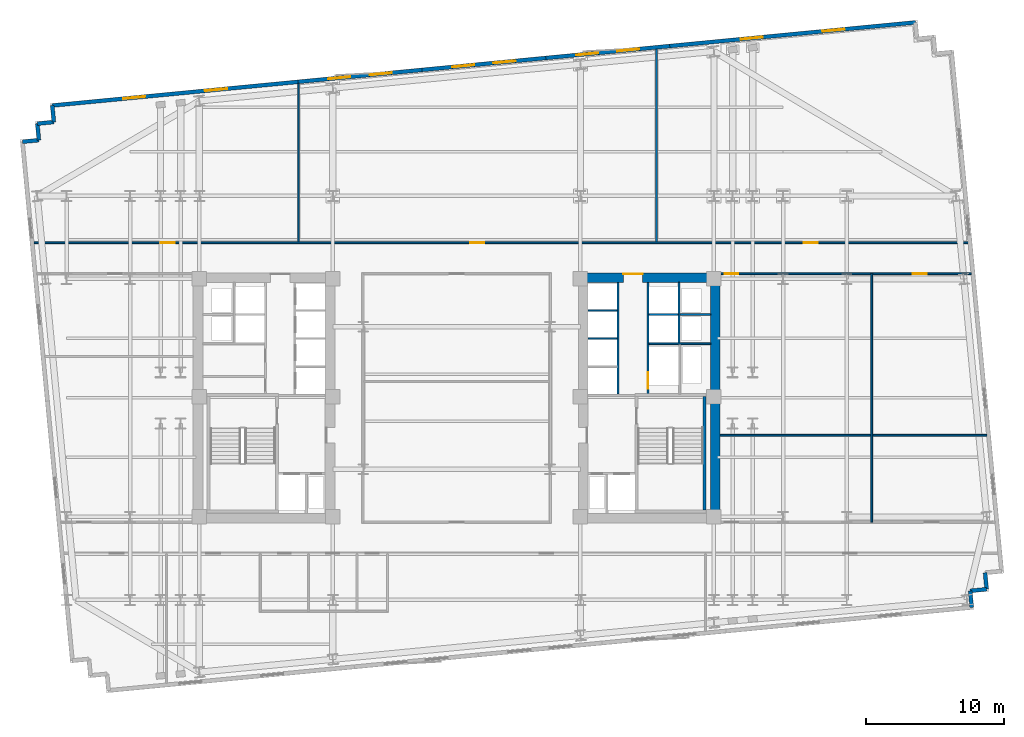
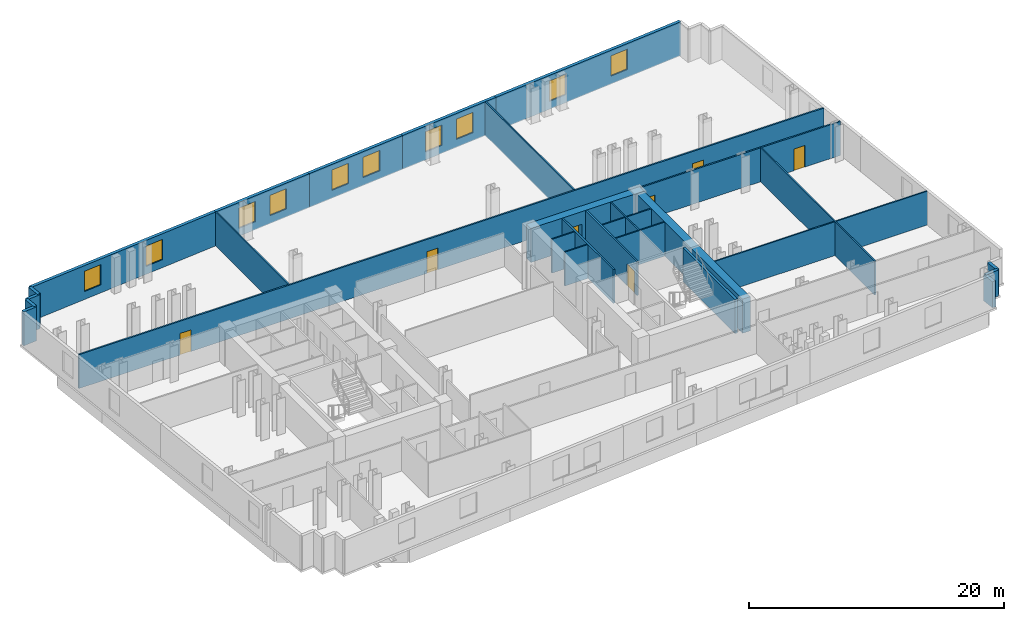
# One storey, part 7 of 10: 29 walls, 10 windows, 7 doors, 17 openings.
"""IFC4 building model written with IfcOpenShell, lengths in metres."""

from ifc_helpers import new_model, si_unit, direction, frame, frame_2d, origin, place, context, subcontext, project, spatial, rectangle, extrude, material, layer, layer_set, type_object, element, fill, save


model = new_model("IFC4")

# Units and contexts
model_context = context("Model", 3, precision=1e-05, world=origin(), true_north=direction((0.0, 1.0)))
body_context = subcontext(model_context, "Body", "Model", "MODEL_VIEW")
ifc_project = project(units=[si_unit("LENGTHUNIT", "METRE"), si_unit("AREAUNIT", "SQUARE_METRE"), si_unit("VOLUMEUNIT", "CUBIC_METRE"), si_unit("PLANEANGLEUNIT", "RADIAN"), si_unit("MASSUNIT", "GRAM", prefix="KILO")], contexts=[model_context])

# Site, building, storey
site_placement = place(None, origin())
site = spatial("IfcSite", under=ifc_project, at=site_placement, CompositionType="ELEMENT")
building_placement = place(site_placement, origin())
building = spatial("IfcBuilding", under=site, at=building_placement, Name="Velakula Bourse", CompositionType="ELEMENT")
storey_placement = place(building_placement, frame((0.0, 0.0, 74.199951171875)))
storey = spatial("IfcBuildingStorey", under=building, at=storey_placement, Name="L19", CompositionType="ELEMENT", Elevation=74.199951171875)

# Wall
ifc_material_1 = material(Name="Concrete M50 (fck 50 MPa)", Category="concrete")
ifc_layer_1 = layer(ifc_material_1, 0.2099609375, Name="Concrete M50 (fck 50 MPa)", Category="concrete")
ifc_layer_set_1 = layer_set([ifc_layer_1], Name="Concrete M50 (fck 50 MPa)")
wall_type_1 = type_object("IfcWallType", Name="WL-CORE-210", PredefinedType="SHEAR", material=ifc_layer_set_1)
wall_1_placement = place(storey_placement, frame((17.925048828125, -8.10009765625, 0.0), z_axis=(0.0, 0.0, 1.0), x_axis=(0.0, 1.0, 0.0)))
element("IfcWall", 1, at=wall_1_placement, inside=storey, type_object=wall_type_1, Name="L19 Core E Stairwell Shear Wall OUT", PredefinedType="SHEAR", context=body_context, shape_type="SweptSolid", body=[
    extrude(rectangle(XDim=8.2001953125, YDim=0.2099609375, at=frame_2d((4.10009765625, 0.0))), origin(), (0.0, 0.0, 1.0), 3.27001953125),
])

# Wall, opening, door
ifc_material_2 = material(Name="Concrete M70 (fck 70 MPa)", Category="concrete")
ifc_layer_2 = layer(ifc_material_2, 0.699951171875, Name="Concrete M70 (fck 70 MPa)", Category="concrete")
ifc_layer_set_2 = layer_set([ifc_layer_2], Name="Concrete M70 (fck 70 MPa)")
wall_type_2 = type_object("IfcWallType", Name="WL-CORE-700", PredefinedType="SHEAR", material=ifc_layer_set_2)
wall_2_placement = place(storey_placement, frame((8.800048828125, 8.699951171875, 0.0), z_axis=(0.0, 0.0, 1.0), x_axis=(1.0, 0.0, 0.0)))
wall_2 = element("IfcWall", 2, at=wall_2_placement, inside=storey, type_object=wall_type_2, Name="L19 Core E Shear Wall N", PredefinedType="SHEAR", context=body_context, shape_type="SweptSolid", body=[
    extrude(rectangle(XDim=10.25, YDim=0.699951171875, at=frame_2d((5.125, 0.0))), origin(), (0.0, 0.0, 1.0), 3.27001953125),
])
opening_1_placement = place(wall_2_placement, frame((3.25, 0.0, 0.0)))
opening_1 = element("IfcOpeningElement", 3, at=opening_1_placement, cuts=wall_2, Name="Opening D-LLE", PredefinedType="OPENING", context=body_context, shape_type="SweptSolid", body=[
    extrude(rectangle(XDim=1.39990234375, YDim=2.050048828125, at=frame_2d((0.699951171875, 1.02490234375))), frame((0.0, 0.35986328125, 0.0), z_axis=(0.0, -1.0, 0.0), x_axis=(1.0, 0.0, 0.0)), (0.0, 0.0, 1.0), 0.719970703125),
])
ifc_material_3 = material(Name="Fire-rated hardwood flush architectural door", Category="wood")
door_type_1 = type_object("IfcDoorType", Name="DR-DBL-FD60-1400", OperationType="DOUBLE_DOOR_SINGLE_SWING", PredefinedType="DOOR", material=ifc_material_3)
door_1_placement = place(opening_1_placement, origin())
door_1 = element("IfcDoor", 4, at=door_1_placement, inside=storey, type_object=door_type_1, Name="L19 Core E Lift Lobby Corridor Double Door", OperationType="DOUBLE_DOOR_SINGLE_SWING", OverallHeight=2.050048828125, OverallWidth=1.39990234375, PredefinedType="DOOR", context=body_context, shape_type="SweptSolid", body=[
    extrude(rectangle(XDim=1.39990234375, YDim=2.050048828125, at=frame_2d((0.699951171875, 1.02490234375))), frame((0.0, 0.294921875, 0.0), z_axis=(0.0, -1.0, 0.0), x_axis=(1.0, 0.0, 0.0)), (0.0, 0.0, 1.0), 0.050048828125),
])
fill(opening_1, door_1)

# Wall
wall_3_placement = place(storey_placement, frame((18.699951171875, -8.35009765625, 0.0), z_axis=(0.0, 0.0, 1.0), x_axis=(0.0, 1.0, 0.0)))
element("IfcWall", 5, at=wall_3_placement, inside=storey, type_object=wall_type_2, Name="L19 Core E Shear Wall E", PredefinedType="SHEAR", context=body_context, shape_type="SweptSolid", body=[
    extrude(rectangle(XDim=16.7001953125, YDim=0.699951171875, at=frame_2d((8.35009765625, 0.0))), origin(), (0.0, 0.0, 1.0), 3.27001953125),
])

# Wall, openings, windows
ifc_material_4 = material(Name="Red kilned clay facing brick masonry", Category="masonry")
ifc_layer_3 = layer(ifc_material_4, 0.280029296875, Name="Red kilned clay facing brick masonry", Category="masonry")
ifc_layer_set_3 = layer_set([ifc_layer_3], Name="Red kilned clay facing brick masonry")
wall_type_3 = type_object("IfcWallType", Name="WL-EXT-BRK-280", PredefinedType="STANDARD", material=ifc_layer_set_3)
wall_4_placement = place(storey_placement, frame((-29.2314453125, 21.138427734375, 0.0), z_axis=(0.0, 0.0, 1.0), x_axis=(0.995395780835, 0.095850088663, 0.0)))
wall_4 = element("IfcWall", 6, at=wall_4_placement, inside=storey, type_object=wall_type_3, Name="L19 N Brick Spandrel Wall B1", PredefinedType="STANDARD", context=body_context, shape_type="SweptSolid", body=[
    extrude(rectangle(XDim=17.83984375, YDim=0.280029296875, at=frame_2d((8.919921875, 0.0))), origin(), (0.0, 0.0, 1.0), 3.25),
])
opening_2_placement = place(wall_4_placement, frame((5.146728515625, 0.0, 0.760009765625)))
opening_2 = element("IfcOpeningElement", 7, at=opening_2_placement, cuts=wall_4, Name="Opening W-02", PredefinedType="OPENING", context=body_context, shape_type="SweptSolid", body=[
    extrude(rectangle(XDim=1.60009765625, YDim=1.949951171875, at=frame_2d((0.800048828125, 0.97509765625))), frame((0.0, 0.14990234375, 0.0), z_axis=(0.0, -1.0, 0.0), x_axis=(1.0, 0.0, 0.0)), (0.0, 0.0, 1.0), 0.300048828125),
])
opening_3_placement = place(wall_4_placement, frame((11.09326171875, 0.0, 0.760009765625)))
opening_3 = element("IfcOpeningElement", 8, at=opening_3_placement, cuts=wall_4, Name="Opening W-02", PredefinedType="OPENING", context=body_context, shape_type="SweptSolid", body=[
    extrude(rectangle(XDim=1.60009765625, YDim=1.949951171875, at=frame_2d((0.800048828125, 0.97509765625))), frame((0.0, 0.14990234375, 0.0), z_axis=(0.0, -1.0, 0.0), x_axis=(1.0, 0.0, 0.0)), (0.0, 0.0, 1.0), 0.300048828125),
])
ifc_material_5 = material(Name="Double-glazed solar-control Low-E glass", Category="glass")
window_type = type_object("IfcWindowType", Name="WIN-TWR-1600x2100", PartitioningType="SINGLE_PANEL", PredefinedType="WINDOW", material=ifc_material_5)
window_1_placement = place(opening_2_placement, origin())
window_1 = element("IfcWindow", 9, at=window_1_placement, inside=storey, type_object=window_type, Name="L19 Deep-Set Recessed Window 1", OverallHeight=1.949951171875, OverallWidth=1.60009765625, PartitioningType="SINGLE_PANEL", PredefinedType="WINDOW", context=body_context, shape_type="SweptSolid", body=[
    extrude(rectangle(XDim=1.60009765625, YDim=1.949951171875, at=frame_2d((0.800048828125, 0.97509765625))), frame((0.0, 0.030029296875, 0.0), z_axis=(0.0, -1.0, 0.0), x_axis=(1.0, 0.0, 0.0)), (0.0, 0.0, 1.0), 0.06005859375),
])
fill(opening_2, window_1)
window_2_placement = place(opening_3_placement, origin())
window_2 = element("IfcWindow", 10, at=window_2_placement, inside=storey, type_object=window_type, Name="L19 Deep-Set Recessed Window 2", OverallHeight=1.949951171875, OverallWidth=1.60009765625, PartitioningType="SINGLE_PANEL", PredefinedType="WINDOW", context=body_context, shape_type="SweptSolid", body=[
    extrude(rectangle(XDim=1.60009765625, YDim=1.949951171875, at=frame_2d((0.800048828125, 0.97509765625))), frame((0.0, 0.030029296875, 0.0), z_axis=(0.0, -1.0, 0.0), x_axis=(1.0, 0.0, 0.0)), (0.0, 0.0, 1.0), 0.06005859375),
])
fill(opening_3, window_2)

wall_5_placement = place(storey_placement, frame((-11.4736328125, 22.848388671875, 0.0), z_axis=(0.0, 0.0, 1.0), x_axis=(0.995396794462, 0.09583956164, 0.0)))
wall_5 = element("IfcWall", 11, at=wall_5_placement, inside=storey, type_object=wall_type_3, Name="L19 N Brick Spandrel Wall B2", PredefinedType="STANDARD", context=body_context, shape_type="SweptSolid", body=[
    extrude(rectangle(XDim=9.0, YDim=0.280029296875, at=frame_2d((4.5, 0.0))), origin(), (0.0, 0.0, 1.0), 3.25),
])
opening_4_placement = place(wall_5_placement, frame((2.199951171875, 0.0, 0.760009765625)))
opening_4 = element("IfcOpeningElement", 12, at=opening_4_placement, cuts=wall_5, Name="Opening W-02", PredefinedType="OPENING", context=body_context, shape_type="SweptSolid", body=[
    extrude(rectangle(XDim=1.60009765625, YDim=1.949951171875, at=frame_2d((0.800048828125, 0.97509765625))), frame((0.0, 0.14990234375, 0.0), z_axis=(0.0, -1.0, 0.0), x_axis=(1.0, 0.0, 0.0)), (0.0, 0.0, 1.0), 0.300048828125),
])
opening_5_placement = place(wall_5_placement, frame((5.199951171875, 0.0, 0.760009765625)))
opening_5 = element("IfcOpeningElement", 13, at=opening_5_placement, cuts=wall_5, Name="Opening W-02", PredefinedType="OPENING", context=body_context, shape_type="SweptSolid", body=[
    extrude(rectangle(XDim=1.60009765625, YDim=1.949951171875, at=frame_2d((0.800048828125, 0.97509765625))), frame((0.0, 0.14990234375, 0.0), z_axis=(0.0, -1.0, 0.0), x_axis=(1.0, 0.0, 0.0)), (0.0, 0.0, 1.0), 0.300048828125),
])
window_3_placement = place(opening_4_placement, origin())
window_3 = element("IfcWindow", 14, at=window_3_placement, inside=storey, type_object=window_type, Name="L19 Deep-Set Recessed Window 1", OverallHeight=1.949951171875, OverallWidth=1.60009765625, PartitioningType="SINGLE_PANEL", PredefinedType="WINDOW", context=body_context, shape_type="SweptSolid", body=[
    extrude(rectangle(XDim=1.60009765625, YDim=1.949951171875, at=frame_2d((0.800048828125, 0.97509765625))), frame((0.0, 0.030029296875, 0.0), z_axis=(0.0, -1.0, 0.0), x_axis=(1.0, 0.0, 0.0)), (0.0, 0.0, 1.0), 0.06005859375),
])
fill(opening_4, window_3)
window_4_placement = place(opening_5_placement, origin())
window_4 = element("IfcWindow", 15, at=window_4_placement, inside=storey, type_object=window_type, Name="L19 Deep-Set Recessed Window 2", OverallHeight=1.949951171875, OverallWidth=1.60009765625, PartitioningType="SINGLE_PANEL", PredefinedType="WINDOW", context=body_context, shape_type="SweptSolid", body=[
    extrude(rectangle(XDim=1.60009765625, YDim=1.949951171875, at=frame_2d((0.800048828125, 0.97509765625))), frame((0.0, 0.030029296875, 0.0), z_axis=(0.0, -1.0, 0.0), x_axis=(1.0, 0.0, 0.0)), (0.0, 0.0, 1.0), 0.06005859375),
])
fill(opening_5, window_4)

wall_6_placement = place(storey_placement, frame((-2.51513671875, 23.7109375, 0.0), z_axis=(0.0, 0.0, 1.0), x_axis=(0.995397043619, 0.095836973841, 0.0)))
wall_6 = element("IfcWall", 16, at=wall_6_placement, inside=storey, type_object=wall_type_3, Name="L19 N Brick Spandrel Wall B3", PredefinedType="STANDARD", context=body_context, shape_type="SweptSolid", body=[
    extrude(rectangle(XDim=9.000244140625, YDim=0.280029296875, at=frame_2d((4.5, 0.0))), origin(), (0.0, 0.0, 1.0), 3.25),
])
opening_6_placement = place(wall_6_placement, frame((2.199951171875, 0.0, 0.760009765625)))
opening_6 = element("IfcOpeningElement", 17, at=opening_6_placement, cuts=wall_6, Name="Opening W-02", PredefinedType="OPENING", context=body_context, shape_type="SweptSolid", body=[
    extrude(rectangle(XDim=1.60009765625, YDim=1.949951171875, at=frame_2d((0.800048828125, 0.97509765625))), frame((0.0, 0.14990234375, 0.0), z_axis=(0.0, -1.0, 0.0), x_axis=(1.0, 0.0, 0.0)), (0.0, 0.0, 1.0), 0.300048828125),
])
opening_7_placement = place(wall_6_placement, frame((5.199951171875, 0.0, 0.760009765625)))
opening_7 = element("IfcOpeningElement", 18, at=opening_7_placement, cuts=wall_6, Name="Opening W-02", PredefinedType="OPENING", context=body_context, shape_type="SweptSolid", body=[
    extrude(rectangle(XDim=1.60009765625, YDim=1.949951171875, at=frame_2d((0.800048828125, 0.97509765625))), frame((0.0, 0.14990234375, 0.0), z_axis=(0.0, -1.0, 0.0), x_axis=(1.0, 0.0, 0.0)), (0.0, 0.0, 1.0), 0.300048828125),
])
window_5_placement = place(opening_6_placement, origin())
window_5 = element("IfcWindow", 19, at=window_5_placement, inside=storey, type_object=window_type, Name="L19 Deep-Set Recessed Window 1", OverallHeight=1.949951171875, OverallWidth=1.60009765625, PartitioningType="SINGLE_PANEL", PredefinedType="WINDOW", context=body_context, shape_type="SweptSolid", body=[
    extrude(rectangle(XDim=1.60009765625, YDim=1.949951171875, at=frame_2d((0.800048828125, 0.97509765625))), frame((0.0, 0.030029296875, 0.0), z_axis=(0.0, -1.0, 0.0), x_axis=(1.0, 0.0, 0.0)), (0.0, 0.0, 1.0), 0.06005859375),
])
fill(opening_6, window_5)
window_6_placement = place(opening_7_placement, origin())
window_6 = element("IfcWindow", 20, at=window_6_placement, inside=storey, type_object=window_type, Name="L19 Deep-Set Recessed Window 2", OverallHeight=1.949951171875, OverallWidth=1.60009765625, PartitioningType="SINGLE_PANEL", PredefinedType="WINDOW", context=body_context, shape_type="SweptSolid", body=[
    extrude(rectangle(XDim=1.60009765625, YDim=1.949951171875, at=frame_2d((0.800048828125, 0.97509765625))), frame((0.0, 0.030029296875, 0.0), z_axis=(0.0, -1.0, 0.0), x_axis=(1.0, 0.0, 0.0)), (0.0, 0.0, 1.0), 0.06005859375),
])
fill(opening_7, window_6)

wall_7_placement = place(storey_placement, frame((6.443603515625, 24.573486328125, 0.0), z_axis=(0.0, 0.0, 1.0), x_axis=(0.995396794462, 0.09583956164, 0.0)))
wall_7 = element("IfcWall", 21, at=wall_7_placement, inside=storey, type_object=wall_type_3, Name="L19 N Brick Spandrel Wall B4", PredefinedType="STANDARD", context=body_context, shape_type="SweptSolid", body=[
    extrude(rectangle(XDim=9.0, YDim=0.280029296875, at=frame_2d((4.5, 0.0))), origin(), (0.0, 0.0, 1.0), 3.25),
])
opening_8_placement = place(wall_7_placement, frame((2.199951171875, 0.0, 0.760009765625)))
opening_8 = element("IfcOpeningElement", 22, at=opening_8_placement, cuts=wall_7, Name="Opening W-02", PredefinedType="OPENING", context=body_context, shape_type="SweptSolid", body=[
    extrude(rectangle(XDim=1.60009765625, YDim=1.949951171875, at=frame_2d((0.800048828125, 0.97509765625))), frame((0.0, 0.14990234375, 0.0), z_axis=(0.0, -1.0, 0.0), x_axis=(1.0, 0.0, 0.0)), (0.0, 0.0, 1.0), 0.300048828125),
])
opening_9_placement = place(wall_7_placement, frame((5.199951171875, 0.0, 0.760009765625)))
opening_9 = element("IfcOpeningElement", 23, at=opening_9_placement, cuts=wall_7, Name="Opening W-02", PredefinedType="OPENING", context=body_context, shape_type="SweptSolid", body=[
    extrude(rectangle(XDim=1.60009765625, YDim=1.949951171875, at=frame_2d((0.800048828125, 0.97509765625))), frame((0.0, 0.14990234375, 0.0), z_axis=(0.0, -1.0, 0.0), x_axis=(1.0, 0.0, 0.0)), (0.0, 0.0, 1.0), 0.300048828125),
])
window_7_placement = place(opening_8_placement, origin())
window_7 = element("IfcWindow", 24, at=window_7_placement, inside=storey, type_object=window_type, Name="L19 Deep-Set Recessed Window 1", OverallHeight=1.949951171875, OverallWidth=1.60009765625, PartitioningType="SINGLE_PANEL", PredefinedType="WINDOW", context=body_context, shape_type="SweptSolid", body=[
    extrude(rectangle(XDim=1.60009765625, YDim=1.949951171875, at=frame_2d((0.800048828125, 0.97509765625))), frame((0.0, 0.030029296875, 0.0), z_axis=(0.0, -1.0, 0.0), x_axis=(1.0, 0.0, 0.0)), (0.0, 0.0, 1.0), 0.06005859375),
])
fill(opening_8, window_7)
window_8_placement = place(opening_9_placement, origin())
window_8 = element("IfcWindow", 25, at=window_8_placement, inside=storey, type_object=window_type, Name="L19 Deep-Set Recessed Window 2", OverallHeight=1.949951171875, OverallWidth=1.60009765625, PartitioningType="SINGLE_PANEL", PredefinedType="WINDOW", context=body_context, shape_type="SweptSolid", body=[
    extrude(rectangle(XDim=1.60009765625, YDim=1.949951171875, at=frame_2d((0.800048828125, 0.97509765625))), frame((0.0, 0.030029296875, 0.0), z_axis=(0.0, -1.0, 0.0), x_axis=(1.0, 0.0, 0.0)), (0.0, 0.0, 1.0), 0.06005859375),
])
fill(opening_9, window_8)

wall_8_placement = place(storey_placement, frame((15.402099609375, 25.43603515625, 0.0), z_axis=(0.0, 0.0, 1.0), x_axis=(0.995395780835, 0.095850088663, 0.0)))
wall_8 = element("IfcWall", 26, at=wall_8_placement, inside=storey, type_object=wall_type_3, Name="L19 N Brick Spandrel Wall B5", PredefinedType="STANDARD", context=body_context, shape_type="SweptSolid", body=[
    extrude(rectangle(XDim=17.83984375, YDim=0.280029296875, at=frame_2d((8.919921875, 0.0))), origin(), (0.0, 0.0, 1.0), 3.25),
])
opening_10_placement = place(wall_8_placement, frame((5.146728515625, 0.0, 0.760009765625)))
opening_10 = element("IfcOpeningElement", 27, at=opening_10_placement, cuts=wall_8, Name="Opening W-02", PredefinedType="OPENING", context=body_context, shape_type="SweptSolid", body=[
    extrude(rectangle(XDim=1.60009765625, YDim=1.949951171875, at=frame_2d((0.800048828125, 0.97509765625))), frame((0.0, 0.14990234375, 0.0), z_axis=(0.0, -1.0, 0.0), x_axis=(1.0, 0.0, 0.0)), (0.0, 0.0, 1.0), 0.300048828125),
])
opening_11_placement = place(wall_8_placement, frame((11.09326171875, 0.0, 0.760009765625)))
opening_11 = element("IfcOpeningElement", 28, at=opening_11_placement, cuts=wall_8, Name="Opening W-02", PredefinedType="OPENING", context=body_context, shape_type="SweptSolid", body=[
    extrude(rectangle(XDim=1.60009765625, YDim=1.949951171875, at=frame_2d((0.800048828125, 0.97509765625))), frame((0.0, 0.14990234375, 0.0), z_axis=(0.0, -1.0, 0.0), x_axis=(1.0, 0.0, 0.0)), (0.0, 0.0, 1.0), 0.300048828125),
])
window_9_placement = place(opening_10_placement, origin())
window_9 = element("IfcWindow", 29, at=window_9_placement, inside=storey, type_object=window_type, Name="L19 Deep-Set Recessed Window 1", OverallHeight=1.949951171875, OverallWidth=1.60009765625, PartitioningType="SINGLE_PANEL", PredefinedType="WINDOW", context=body_context, shape_type="SweptSolid", body=[
    extrude(rectangle(XDim=1.60009765625, YDim=1.949951171875, at=frame_2d((0.800048828125, 0.97509765625))), frame((0.0, 0.030029296875, 0.0), z_axis=(0.0, -1.0, 0.0), x_axis=(1.0, 0.0, 0.0)), (0.0, 0.0, 1.0), 0.06005859375),
])
fill(opening_10, window_9)
window_10_placement = place(opening_11_placement, origin())
window_10 = element("IfcWindow", 30, at=window_10_placement, inside=storey, type_object=window_type, Name="L19 Deep-Set Recessed Window 2", OverallHeight=1.949951171875, OverallWidth=1.60009765625, PartitioningType="SINGLE_PANEL", PredefinedType="WINDOW", context=body_context, shape_type="SweptSolid", body=[
    extrude(rectangle(XDim=1.60009765625, YDim=1.949951171875, at=frame_2d((0.800048828125, 0.97509765625))), frame((0.0, 0.030029296875, 0.0), z_axis=(0.0, -1.0, 0.0), x_axis=(1.0, 0.0, 0.0)), (0.0, 0.0, 1.0), 0.06005859375),
])
fill(opening_11, window_10)

# Walls
for number, where, z_axis, x_axis, name in (
    (31, (37.2314453125, -15.138427734375, 0.0), (0.0, 0.0, 1.0), (-0.095817067274, 0.995398960025, 0.0), "L19 Serrated Corner Brick Wall SE-1"),
    (32, (37.116455078125, -13.94384765625, 0.0), (0.0, 0.0, 1.0), (0.995398960025, 0.095817067274, 0.0), "L19 Serrated Corner Brick Wall SE-2"),
):
    element("IfcWall", number, at=place(storey_placement, frame(where, z_axis=z_axis, x_axis=x_axis)), inside=storey, type_object=wall_type_3, Name=name, PredefinedType="STANDARD", context=body_context, shape_type="SweptSolid", body=[
        extrude(rectangle(XDim=1.2001953125, YDim=0.280029296875, at=frame_2d((0.60009765625, 0.0))), origin(), (0.0, 0.0, 1.0), 2.4951171875),
    ])
wall_9_placement = place(storey_placement, frame((38.31103515625, -13.828857421875, 0.0), z_axis=(0.0, 0.0, 1.0), x_axis=(-0.095836473879, 0.995397091755, 0.0)))
element("IfcWall", 33, at=wall_9_placement, inside=storey, type_object=wall_type_3, Name="L19 Serrated Corner Brick Wall SE-3", PredefinedType="STANDARD", context=body_context, shape_type="SweptSolid", body=[
    extrude(rectangle(XDim=1.199951171875, YDim=0.280029296875, at=frame_2d((0.60009765625, 0.0))), origin(), (0.0, 0.0, 1.0), 2.4951171875),
])
for number, where, z_axis, x_axis, name in (
    (34, (-29.2314453125, 21.138427734375, 0.0), (0.0, 0.0, 1.0), (0.095817067274, -0.995398960025, 0.0), "L19 Serrated Corner Brick Wall NW-1"),
    (35, (-29.116455078125, 19.94384765625, 0.0), (0.0, 0.0, 1.0), (-0.995398960025, -0.095817067274, 0.0), "L19 Serrated Corner Brick Wall NW-2"),
):
    element("IfcWall", number, at=place(storey_placement, frame(where, z_axis=z_axis, x_axis=x_axis)), inside=storey, type_object=wall_type_3, Name=name, PredefinedType="STANDARD", context=body_context, shape_type="SweptSolid", body=[
        extrude(rectangle(XDim=1.2001953125, YDim=0.280029296875, at=frame_2d((0.60009765625, 0.0))), origin(), (0.0, 0.0, 1.0), 3.25),
    ])
for number, where, z_axis, x_axis, name in (
    (36, (-30.31103515625, 19.828857421875, 0.0), (0.0, 0.0, 1.0), (0.095836473879, -0.995397091755, 0.0), "L19 Serrated Corner Brick Wall NW-3"),
    (37, (-30.196044921875, 18.634521484375, 0.0), (0.0, 0.0, 1.0), (-0.995397091755, -0.095836473879, 0.0), "L19 Serrated Corner Brick Wall NW-4"),
):
    element("IfcWall", number, at=place(storey_placement, frame(where, z_axis=z_axis, x_axis=x_axis)), inside=storey, type_object=wall_type_3, Name=name, PredefinedType="STANDARD", context=body_context, shape_type="SweptSolid", body=[
        extrude(rectangle(XDim=1.199951171875, YDim=0.280029296875, at=frame_2d((0.60009765625, 0.0))), origin(), (0.0, 0.0, 1.0), 3.25),
    ])
ifc_material_6 = material(Name="Fire-rated double-layer gypsum drywall partition", Category="gypsum")
ifc_layer_4 = layer(ifc_material_6, 0.1201171875, Name="Fire-rated double-layer gypsum drywall partition", Category="gypsum")
ifc_layer_set_4 = layer_set([ifc_layer_4], Name="Fire-rated double-layer gypsum drywall partition")
wall_type_4 = type_object("IfcWallType", Name="WL-PART-120", PredefinedType="STANDARD", material=ifc_layer_set_4)
for number, where, z_axis, x_axis, name in (
    (38, (9.5, 4.284912109375, 0.0), (0.0, 0.0, 1.0), (1.0, 0.0, 0.0), "L19 Interior Partition WL-CRE-L19-BDIV-1"),
    (39, (9.5, 6.31494140625, 0.0), (0.0, 0.0, 1.0), (1.0, 0.0, 0.0), "L19 Interior Partition WL-CRE-L19-BDIV-2"),
):
    element("IfcWall", number, at=place(storey_placement, frame(where, z_axis=z_axis, x_axis=x_axis)), inside=storey, type_object=wall_type_4, Name=name, PredefinedType="STANDARD", context=body_context, shape_type="SweptSolid", body=[
        extrude(rectangle(XDim=2.10009765625, YDim=0.110107421875, at=frame_2d((1.050048828125, 0.0))), origin(), (0.0, 0.0, 1.0), 3.25),
    ])
wall_10_placement = place(storey_placement, frame((13.89990234375, 3.919921875, 0.0), z_axis=(0.0, 0.0, 1.0), x_axis=(1.0, 0.0, 0.0)))
element("IfcWall", 40, at=wall_10_placement, inside=storey, type_object=wall_type_4, Name="L19 Interior Partition WL-CRE-L19-HI-S", PredefinedType="STANDARD", context=body_context, shape_type="SweptSolid", body=[
    extrude(rectangle(XDim=4.4501953125, YDim=0.1201171875, at=frame_2d((2.22509765625, 0.0))), origin(), (0.0, 0.0, 1.0), 3.25),
])
wall_11_placement = place(storey_placement, frame((16.14990234375, 6.030029296875, 0.0), z_axis=(0.0, 0.0, 1.0), x_axis=(1.0, 0.0, 0.0)))
element("IfcWall", 41, at=wall_11_placement, inside=storey, type_object=wall_type_4, Name="L19 Interior Partition WL-CRE-L19-RIS-MID", PredefinedType="STANDARD", context=body_context, shape_type="SweptSolid", body=[
    extrude(rectangle(XDim=2.2001953125, YDim=0.1201171875, at=frame_2d((1.10009765625, 0.0))), origin(), (0.0, 0.0, 1.0), 3.25),
])
wall_12_placement = place(storey_placement, frame((16.074951171875, 3.97998046875, 0.0), z_axis=(0.0, 0.0, 1.0), x_axis=(0.0, 1.0, 0.0)))
element("IfcWall", 42, at=wall_12_placement, inside=storey, type_object=wall_type_4, Name="L19 Interior Partition WL-CRE-L19-RIS-F", PredefinedType="STANDARD", context=body_context, shape_type="SweptSolid", body=[
    extrude(rectangle(XDim=4.3701171875, YDim=0.1201171875, at=frame_2d((2.18505859375, 0.0))), origin(), (0.0, 0.0, 1.0), 3.25),
])
wall_13_placement = place(storey_placement, frame((13.89990234375, 6.030029296875, 0.0), z_axis=(0.0, 0.0, 1.0), x_axis=(1.0, 0.0, 0.0)))
element("IfcWall", 43, at=wall_13_placement, inside=storey, type_object=wall_type_4, Name="L19 Interior Partition WL-CRE-L19-HI-DIV", PredefinedType="STANDARD", context=body_context, shape_type="SweptSolid", body=[
    extrude(rectangle(XDim=2.10009765625, YDim=0.1201171875, at=frame_2d((1.050048828125, 0.0))), origin(), (0.0, 0.0, 1.0), 3.25),
])
wall_14_placement = place(storey_placement, frame((-11.44189453125, 11.2900390625, 0.0), z_axis=(0.0, 0.0, 1.0), x_axis=(0.0, 1.0, 0.0)))
element("IfcWall", 44, at=wall_14_placement, inside=storey, type_object=wall_type_4, Name="L19 Interior Partition WL-INT-L19-N-D1", PredefinedType="STANDARD", context=body_context, shape_type="SweptSolid", body=[
    extrude(rectangle(XDim=11.440673828125, YDim=0.1201171875, at=frame_2d((5.72021484375, 0.0))), origin(), (0.0, 0.0, 1.0), 3.25),
])
wall_15_placement = place(storey_placement, frame((14.43994140625, 11.2900390625, 0.0), z_axis=(0.0, 0.0, 1.0), x_axis=(0.0, 1.0, 0.0)))
element("IfcWall", 45, at=wall_15_placement, inside=storey, type_object=wall_type_4, Name="L19 Interior Partition WL-INT-L19-N-D2", PredefinedType="STANDARD", context=body_context, shape_type="SweptSolid", body=[
    extrude(rectangle(XDim=13.932861328125, YDim=0.1201171875, at=frame_2d((6.96630859375, 0.0))), origin(), (0.0, 0.0, 1.0), 3.25),
])
wall_16_placement = place(storey_placement, frame((19.050048828125, -2.699951171875, 0.0), z_axis=(0.0, 0.0, 1.0), x_axis=(1.0, 0.0, 0.0)))
element("IfcWall", 46, at=wall_16_placement, inside=storey, type_object=wall_type_4, Name="L19 Interior Partition WL-INT-L19-E-H", PredefinedType="STANDARD", context=body_context, shape_type="SweptSolid", body=[
    extrude(rectangle(XDim=19.274169921875, YDim=0.1201171875, at=frame_2d((9.63720703125, 0.0))), origin(), (0.0, 0.0, 1.0), 3.25),
])
wall_17_placement = place(storey_placement, frame((30.009033203125, -8.97998046875, 0.0), z_axis=(0.0, 0.0, 1.0), x_axis=(0.0, 1.0, 0.0)))
element("IfcWall", 47, at=wall_17_placement, inside=storey, type_object=wall_type_4, Name="L19 Interior Partition WL-INT-L19-E-V1", PredefinedType="STANDARD", context=body_context, shape_type="SweptSolid", body=[
    extrude(rectangle(XDim=17.9599609375, YDim=0.1201171875, at=frame_2d((8.97998046875, 0.0))), origin(), (0.0, 0.0, 1.0), 3.25),
])

# Wall, openings, doors
ifc_layer_5 = layer(ifc_material_6, 0.139892578125, Name="Fire-rated double-layer gypsum drywall partition", Category="gypsum")
ifc_layer_set_5 = layer_set([ifc_layer_5], Name="Fire-rated double-layer gypsum drywall partition")
wall_type_5 = type_object("IfcWallType", Name="WL-PART-140", PredefinedType="STANDARD", material=ifc_layer_set_5)
wall_18_placement = place(storey_placement, frame((-30.56689453125, 11.219970703125, 0.0), z_axis=(0.0, 0.0, 1.0), x_axis=(1.0, 0.0, 0.0)))
wall_18 = element("IfcWall", 48, at=wall_18_placement, inside=storey, type_object=wall_type_5, Name="L19 Interior Partition WL-INT-L19-N-CORR", PredefinedType="STANDARD", context=body_context, shape_type="SweptSolid", body=[
    extrude(rectangle(XDim=67.55078125, YDim=0.139892578125, at=frame_2d((33.775390625, 0.0))), origin(), (0.0, 0.0, 1.0), 3.25),
])
opening_12_placement = place(wall_18_placement, frame((9.1884765625, 0.0, 0.0)))
opening_12 = element("IfcOpeningElement", 49, at=opening_12_placement, cuts=wall_18, Name="Opening D-OF1", PredefinedType="OPENING", context=body_context, shape_type="SweptSolid", body=[
    extrude(rectangle(XDim=1.0, YDim=2.080078125, at=frame_2d((0.5, 1.0400390625))), frame((0.0, 0.079833984375, 0.0), z_axis=(0.0, -1.0, 0.0), x_axis=(1.0, 0.0, 0.0)), (0.0, 0.0, 1.0), 0.159912109375),
])
opening_13_placement = place(wall_18_placement, frame((31.56591796875, 0.0, 0.0)))
opening_13 = element("IfcOpeningElement", 50, at=opening_13_placement, cuts=wall_18, Name="Opening D-OF1", PredefinedType="OPENING", context=body_context, shape_type="SweptSolid", body=[
    extrude(rectangle(XDim=1.0, YDim=2.080078125, at=frame_2d((0.5, 1.0400390625))), frame((0.0, 0.079833984375, 0.0), z_axis=(0.0, -1.0, 0.0), x_axis=(1.0, 0.0, 0.0)), (0.0, 0.0, 1.0), 0.159912109375),
])
opening_14_placement = place(wall_18_placement, frame((55.653076171875, 0.0, 0.0)))
opening_14 = element("IfcOpeningElement", 51, at=opening_14_placement, cuts=wall_18, Name="Opening D-OF1", PredefinedType="OPENING", context=body_context, shape_type="SweptSolid", body=[
    extrude(rectangle(XDim=1.0, YDim=2.080078125, at=frame_2d((0.5, 1.0400390625))), frame((0.0, 0.079833984375, 0.0), z_axis=(0.0, -1.0, 0.0), x_axis=(1.0, 0.0, 0.0)), (0.0, 0.0, 1.0), 0.159912109375),
])
door_type_2 = type_object("IfcDoorType", Name="DR-OFF-1000", OperationType="NOTDEFINED", PredefinedType="DOOR", material=ifc_material_3)
door_2_placement = place(opening_12_placement, origin())
door_2 = element("IfcDoor", 52, at=door_2_placement, inside=storey, type_object=door_type_2, Name="L19 Commodity Futures Workspace Door", OperationType="SINGLE_SWING_LEFT", OverallHeight=2.080078125, OverallWidth=1.0, PredefinedType="DOOR", context=body_context, shape_type="SweptSolid", body=[
    extrude(rectangle(XDim=1.0, YDim=2.080078125, at=frame_2d((0.5, 1.0400390625))), frame((0.0, 0.02490234375, 0.0), z_axis=(0.0, -1.0, 0.0), x_axis=(1.0, 0.0, 0.0)), (0.0, 0.0, 1.0), 0.050048828125),
])
fill(opening_12, door_2)
door_3_placement = place(opening_13_placement, origin())
door_3 = element("IfcDoor", 53, at=door_3_placement, inside=storey, type_object=door_type_2, Name="L19 Clearing Committee Room Door", OperationType="SINGLE_SWING_RIGHT", OverallHeight=2.080078125, OverallWidth=1.0, PredefinedType="DOOR", context=body_context, shape_type="SweptSolid", body=[
    extrude(rectangle(XDim=1.0, YDim=2.080078125, at=frame_2d((0.5, 1.0400390625))), frame((0.0, 0.02490234375, 0.0), z_axis=(0.0, -1.0, 0.0), x_axis=(1.0, 0.0, 0.0)), (0.0, 0.0, 1.0), 0.050048828125),
])
fill(opening_13, door_3)
door_4_placement = place(opening_14_placement, origin())
door_4 = element("IfcDoor", 54, at=door_4_placement, inside=storey, type_object=door_type_2, Name="L19 Tea Room Kitchenette Door", OperationType="SINGLE_SWING_LEFT", OverallHeight=2.080078125, OverallWidth=1.0, PredefinedType="DOOR", context=body_context, shape_type="SweptSolid", body=[
    extrude(rectangle(XDim=1.0, YDim=2.080078125, at=frame_2d((0.5, 1.0400390625))), frame((0.0, 0.02490234375, 0.0), z_axis=(0.0, -1.0, 0.0), x_axis=(1.0, 0.0, 0.0)), (0.0, 0.0, 1.0), 0.050048828125),
])
fill(opening_14, door_4)

wall_19_placement = place(storey_placement, frame((19.050048828125, 8.97998046875, 0.0), z_axis=(0.0, 0.0, 1.0), x_axis=(1.0, 0.0, 0.0)))
wall_19 = element("IfcWall", 55, at=wall_19_placement, inside=storey, type_object=wall_type_5, Name="L19 Interior Partition WL-INT-L19-E-NC", PredefinedType="STANDARD", context=body_context, shape_type="SweptSolid", body=[
    extrude(rectangle(XDim=18.149658203125, YDim=0.139892578125, at=frame_2d((9.07470703125, 0.0))), origin(), (0.0, 0.0, 1.0), 3.25),
])
opening_15_placement = place(wall_19_placement, frame((0.320068359375, 0.0, 0.0)))
opening_15 = element("IfcOpeningElement", 56, at=opening_15_placement, cuts=wall_19, Name="Opening D-OF1", PredefinedType="OPENING", context=body_context, shape_type="SweptSolid", body=[
    extrude(rectangle(XDim=1.0, YDim=2.080078125, at=frame_2d((0.5, 1.0400390625))), frame((0.0, 0.079833984375, 0.0), z_axis=(0.0, -1.0, 0.0), x_axis=(1.0, 0.0, 0.0)), (0.0, 0.0, 1.0), 0.159912109375),
])
opening_16_placement = place(wall_19_placement, frame((13.92431640625, 0.0, 0.0)))
opening_16 = element("IfcOpeningElement", 57, at=opening_16_placement, cuts=wall_19, Name="Opening D-OF1", PredefinedType="OPENING", context=body_context, shape_type="SweptSolid", body=[
    extrude(rectangle(XDim=1.0, YDim=2.080078125, at=frame_2d((0.5, 1.0400390625))), frame((0.0, 0.079833984375, 0.0), z_axis=(0.0, -1.0, 0.0), x_axis=(1.0, 0.0, 0.0)), (0.0, 0.0, 1.0), 0.159912109375),
])
door_5_placement = place(opening_15_placement, origin())
door_5 = element("IfcDoor", 58, at=door_5_placement, inside=storey, type_object=door_type_2, Name="L19 Broadcast Control Office Door", OperationType="SINGLE_SWING_LEFT", OverallHeight=2.080078125, OverallWidth=1.0, PredefinedType="DOOR", context=body_context, shape_type="SweptSolid", body=[
    extrude(rectangle(XDim=1.0, YDim=2.080078125, at=frame_2d((0.5, 1.0400390625))), frame((0.0, 0.02490234375, 0.0), z_axis=(0.0, -1.0, 0.0), x_axis=(1.0, 0.0, 0.0)), (0.0, 0.0, 1.0), 0.050048828125),
])
fill(opening_15, door_5)
door_6_placement = place(opening_16_placement, origin())
door_6 = element("IfcDoor", 59, at=door_6_placement, inside=storey, type_object=door_type_2, Name="L19 Yield Curve Seminar Room Door", OperationType="SINGLE_SWING_RIGHT", OverallHeight=2.080078125, OverallWidth=1.0, PredefinedType="DOOR", context=body_context, shape_type="SweptSolid", body=[
    extrude(rectangle(XDim=1.0, YDim=2.080078125, at=frame_2d((0.5, 1.0400390625))), frame((0.0, 0.02490234375, 0.0), z_axis=(0.0, -1.0, 0.0), x_axis=(1.0, 0.0, 0.0)), (0.0, 0.0, 1.0), 0.050048828125),
])
fill(opening_16, door_6)

# Wall
ifc_material_7 = material(Name="Autoclaved aerated concrete blockwork masonry", Category="masonry")
ifc_layer_6 = layer(ifc_material_7, 0.14990234375, Name="Autoclaved aerated concrete blockwork masonry", Category="masonry")
ifc_layer_set_6 = layer_set([ifc_layer_6], Name="Autoclaved aerated concrete blockwork masonry")
wall_type_6 = type_object("IfcWallType", Name="WL-SHAFT-150", PredefinedType="STANDARD", material=ifc_layer_set_6)
wall_20_placement = place(storey_placement, frame((11.675048828125, 0.27001953125, 0.0), z_axis=(0.0, 0.0, 1.0), x_axis=(0.0, 1.0, 0.0)))
element("IfcWall", 60, at=wall_20_placement, inside=storey, type_object=wall_type_6, Name="L19 Interior Partition WL-CRE-L19-BANK-F", PredefinedType="STANDARD", context=body_context, shape_type="SweptSolid", body=[
    extrude(rectangle(XDim=8.080078125, YDim=0.14990234375, at=frame_2d((4.0400390625, 0.0))), origin(), (0.0, 0.0, 1.0), 3.25),
])

# Wall, opening, door
wall_21_placement = place(storey_placement, frame((13.824951171875, 0.27001953125, 0.0), z_axis=(0.0, 0.0, 1.0), x_axis=(0.0, 1.0, 0.0)))
wall_21 = element("IfcWall", 61, at=wall_21_placement, inside=storey, type_object=wall_type_6, Name="L19 Interior Partition WL-CRE-L19-OUT-F", PredefinedType="STANDARD", context=body_context, shape_type="SweptSolid", body=[
    extrude(rectangle(XDim=8.080078125, YDim=0.14990234375, at=frame_2d((4.0400390625, 0.0))), origin(), (0.0, 0.0, 1.0), 3.25),
])
opening_17_placement = place(wall_21_placement, frame((0.3798828125, 0.0, 0.0)))
opening_17 = element("IfcOpeningElement", 62, at=opening_17_placement, cuts=wall_21, Name="Opening LD-SVL1", PredefinedType="OPENING", context=body_context, shape_type="SweptSolid", body=[
    extrude(rectangle(XDim=1.199951171875, YDim=2.10009765625, at=frame_2d((0.60009765625, 1.050048828125))), frame((0.0, 0.0849609375, 0.0), z_axis=(0.0, -1.0, 0.0), x_axis=(1.0, 0.0, 0.0)), (0.0, 0.0, 1.0), 0.169921875),
])
ifc_material_8 = material(Name="Brushed grade 316 stainless steel", Category="steel")
door_type_3 = type_object("IfcDoorType", Name="DR-SLIDE-LD-1200", OperationType="DOUBLE_DOOR_SLIDING", PredefinedType="DOOR", material=ifc_material_8)
door_7_placement = place(opening_17_placement, origin())
door_7 = element("IfcDoor", 63, at=door_7_placement, inside=storey, type_object=door_type_3, Name="L19 Service Lift SVL-1 Sliding Landing Door", OperationType="DOUBLE_DOOR_SLIDING", OverallHeight=2.10009765625, OverallWidth=1.199951171875, PredefinedType="DOOR", context=body_context, shape_type="SweptSolid", body=[
    extrude(rectangle(XDim=1.199951171875, YDim=2.10009765625, at=frame_2d((0.60009765625, 1.050048828125))), frame((0.0, 0.02490234375, 0.0), z_axis=(0.0, -1.0, 0.0), x_axis=(1.0, 0.0, 0.0)), (0.0, 0.0, 1.0), 0.050048828125),
])
fill(opening_17, door_7)

save(model, "model.ifc")
